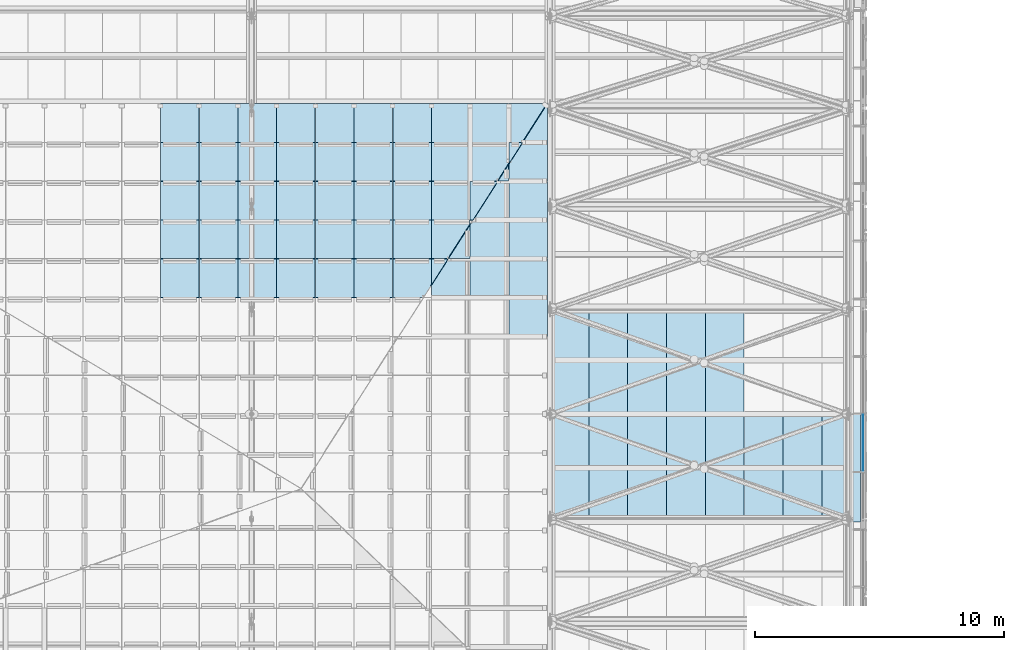
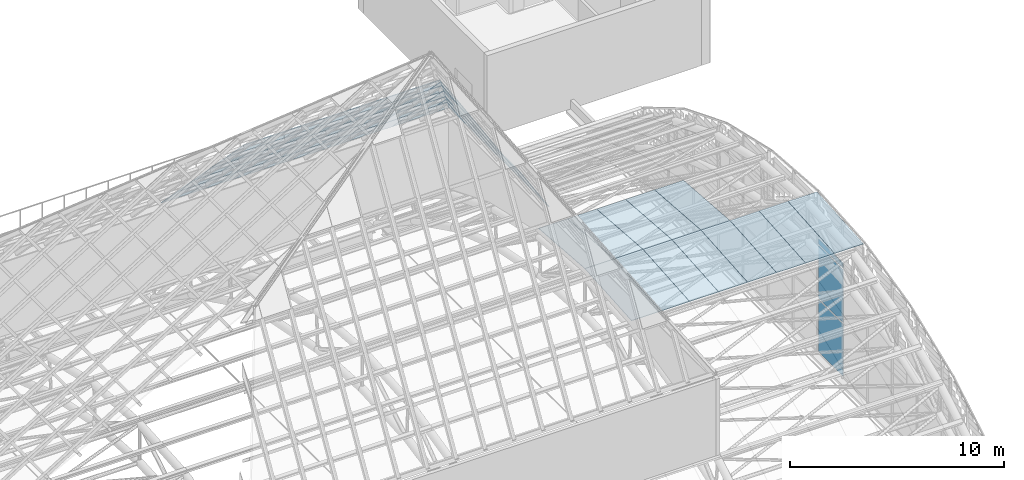
# One storey, part 64 of 110: 73 plates, 1 element without a shape of its own.
"""IFC4 building model written with IfcOpenShell, lengths in metres."""

from ifc_helpers import new_model, si_unit, direction, frame, origin, place, context, subcontext, project, spatial, polyline, outline, extrude, material, layer, layer_set, type_object, element, aggregate, save


model = new_model("IFC4")

# Units and contexts
model_context = context("Model", 3, precision=1e-05, world=origin(), true_north=direction((0.0, 1.0)))
body_context = subcontext(model_context, "Body", "Model", "MODEL_VIEW")
ifc_project = project(units=[si_unit("LENGTHUNIT", "METRE"), si_unit("AREAUNIT", "SQUARE_METRE"), si_unit("VOLUMEUNIT", "CUBIC_METRE"), si_unit("PLANEANGLEUNIT", "RADIAN"), si_unit("MASSUNIT", "GRAM", prefix="KILO")], contexts=[model_context])

# Site, building, storey
site_placement = place(None, origin())
site = spatial("IfcSite", under=ifc_project, at=site_placement, CompositionType="ELEMENT")
building_placement = place(site_placement, origin())
building = spatial("IfcBuilding", under=site, at=building_placement, Name="Windward Yard Aquatics Centre", CompositionType="ELEMENT")
storey_placement = place(building_placement, frame((0.0, 0.0, 22.60009765625)))
storey = spatial("IfcBuildingStorey", under=building, at=storey_placement, Name="L05", CompositionType="ELEMENT", Elevation=22.60009765625)

# Curtain wall, plates
ifc_material_1 = material(Name="Glass and aluminium curtain wall", Category="aluminium")
ifc_layer_1 = layer(ifc_material_1, 0.179931640625)
ifc_layer_set_1 = layer_set([ifc_layer_1], Name="H gable glazing system double glazed 8+16+8")
curtain_wall_type = type_object("IfcCurtainWallType", Name="H gable glazing system double glazed 8+16+8", PredefinedType="NOTDEFINED", material=ifc_layer_set_1)
curtain_wall_placement = place(storey_placement, origin())
curtain_wall = element("IfcCurtainWall", 1, at=curtain_wall_placement, inside=storey, type_object=curtain_wall_type, Name="Gable glazing E", PredefinedType="NOTDEFINED")
ifc_material_2 = material(Name="Low-iron glass", Category="glass")
ifc_layer_2 = layer(ifc_material_2, 0.008, Name="Outer pane")
ifc_material_3 = material(Name="Argon-filled cavity")
ifc_layer_3 = layer(ifc_material_3, 0.016, Name="Cavity")
ifc_layer_4 = layer(ifc_material_2, 0.008, Name="Inner pane")
ifc_layer_set_2 = layer_set([ifc_layer_2, ifc_layer_3, ifc_layer_4], Name="H gable glass low-e double glazed unit 32")
plate_type_1 = type_object("IfcPlateType", Name="H gable glass low-e double glazed unit 32", PredefinedType="CURTAIN_PANEL", material=ifc_layer_set_2)
plate_1_placement = place(storey_placement, frame((144.573974609375, 58.71337890625, 0.099853515625), z_axis=(-1.0, 0.0, 0.0), x_axis=(0.0, 0.0, 1.0)))
plate_1 = element("IfcPlate", 2, at=plate_1_placement, type_object=plate_type_1, Name="Gable panel 9.1", PredefinedType="CURTAIN_PANEL", context=body_context, shape_type="SweptSolid", body=[
    extrude(outline(polyline([(0.0, 0.0), (2.949951, 0.0), (2.949951, 2.25415), (0.0, 2.25415), (0.0, 0.0)])), origin(), (0.0, 0.0, -1.0), 0.031982421875),
])
plate_2_placement = place(storey_placement, frame((144.573974609375, 58.71337890625, 3.14990234375), z_axis=(-1.0, 0.0, 0.0), x_axis=(0.0, 0.0, 1.0)))
plate_2 = element("IfcPlate", 3, at=plate_2_placement, type_object=plate_type_1, Name="Gable panel 9.2", PredefinedType="CURTAIN_PANEL", context=body_context, shape_type="SweptSolid", body=[
    extrude(outline(polyline([(0.0, 0.0), (3.0, 0.0), (3.0, 2.25415), (0.0, 2.25415), (0.0, 0.0)])), origin(), (0.0, 0.0, -1.0), 0.031982421875),
])
plate_3_placement = place(storey_placement, frame((144.60595703125, 58.71337890625, 6.25), z_axis=(1.0, 0.0, 0.0), x_axis=(0.0, 1.0, 0.0)))
plate_3 = element("IfcPlate", 4, at=plate_3_placement, type_object=plate_type_1, Name="Gable panel 9.3a", PredefinedType="CURTAIN_PANEL", context=body_context, shape_type="SweptSolid", body=[
    extrude(outline(polyline([(0.0, 0.0), (2.25415, 0.0), (2.25415, 0.275391), (0.0, 0.275391), (0.0, 0.0)])), origin(), (0.0, 0.0, -1.0), 0.031982421875),
])
aggregate(curtain_wall, [plate_1, plate_2, plate_3])

# Plates
ifc_material_4 = material(Name="Laminated low-e glass", Category="glass")
ifc_layer_5 = layer(ifc_material_4, 0.035888671875)
ifc_layer_set_3 = layer_set([ifc_layer_5], Name="H lantern glass laminated low-e 36")
plate_type_2 = type_object("IfcPlateType", Name="H lantern glass laminated low-e 36", PredefinedType="SHEET", material=ifc_layer_set_3)
plate_4_placement = place(storey_placement, frame((130.909423828125, 71.932373046875, 12.4951171875), z_axis=(0.850381671749, 0.0, 0.526166335253), x_axis=(0.406235657638, 0.635541160007, -0.656551615945)))
element("IfcPlate", 5, at=plate_4_placement, inside=storey, type_object=plate_type_2, Name="H.LN.G.02.001", PredefinedType="SHEET", context=body_context, shape_type="SweptSolid", body=[
    extrude(outline(polyline([(0.0, 0.0), (2.428571, 0.0), (1.447641, -1.191652), (0.0, 0.0)])), origin(), (0.0, 0.0, -1.0), 0.035888671875),
])
plate_5_placement = place(storey_placement, frame((130.347412109375, 70.37109375, 13.4033203125), z_axis=(0.850373725201, -1.6191257e-05, 0.526179177871), x_axis=(1.3768619e-05, 0.999999999869, 8.519502e-06)))
element("IfcPlate", 6, at=plate_5_placement, inside=storey, type_object=plate_type_2, Name="H.LN.G.02.002", PredefinedType="SHEET", context=body_context, shape_type="SweptSolid", body=[
    extrude(outline(polyline([(0.0, 0.0), (0.681885, 0.0), (1.553223, -1.058274), (1.553223, -2.943051), (0.0, -2.943051), (0.0, 0.0)])), origin(), (0.0, 0.0, -1.0), 0.035888671875),
])
plate_6_placement = place(storey_placement, frame((129.91162109375, 70.37109375, 14.107666015625), z_axis=(0.8502843419, 0.0, 0.526323605703), x_axis=(0.406338303071, 0.635584499157, -0.656446134796)))
element("IfcPlate", 7, at=plate_6_placement, inside=storey, type_object=plate_type_2, Name="H.LN.G.02.003", PredefinedType="SHEET", context=body_context, shape_type="SweptSolid", body=[
    extrude(outline(polyline([(0.0, 0.0), (1.053257, 0.0), (0.627775, -0.516824), (0.0, 0.0)])), origin(), (0.0, 0.0, -1.0), 0.035888671875),
])
plate_7_placement = place(storey_placement, frame((130.347412109375, 68.809814453125, 13.4033203125), z_axis=(0.850371202966, 0.0, 0.526183254357), x_axis=(0.0, 1.0, 0.0)))
element("IfcPlate", 8, at=plate_7_placement, inside=storey, type_object=plate_type_2, Name="H.LN.G.02.004", PredefinedType="SHEET", context=body_context, shape_type="SweptSolid", body=[
    extrude(outline(polyline([(0.0, 0.0), (1.553223, 0.0), (1.553223, -2.943051), (0.0, -2.943051), (0.0, 0.0)])), origin(), (0.0, 0.0, -1.0), 0.035888671875),
])
plate_8_placement = place(storey_placement, frame((128.913818359375, 68.809814453125, 15.720458984375), z_axis=(0.850350560545, 6.0529784e-05, 0.526216609882), x_axis=(0.406229593055, 0.635569246376, -0.656528179737)))
element("IfcPlate", 9, at=plate_8_placement, inside=storey, type_object=plate_type_2, Name="H.LN.G.02.005", PredefinedType="SHEET", context=body_context, shape_type="SweptSolid", body=[
    extrude(outline(polyline([(0.0, 0.0), (2.443829, 0.0), (3.079147, -0.523012), (2.091966, -1.722168), (0.0, 0.0)])), origin(), (0.0, 0.0, -1.0), 0.035888671875),
])
plate_9_placement = place(storey_placement, frame((130.347412109375, 67.248779296875, 13.4033203125), z_axis=(0.850371202966, 0.0, 0.526183254357), x_axis=(0.0, 1.0, 0.0)))
element("IfcPlate", 10, at=plate_9_placement, inside=storey, type_object=plate_type_2, Name="H.LN.G.02.006", PredefinedType="SHEET", context=body_context, shape_type="SweptSolid", body=[
    extrude(outline(polyline([(0.0, 0.0), (1.553223, 0.0), (1.553223, -2.943051), (0.0, -2.943051), (0.0, 0.0)])), origin(), (0.0, 0.0, -1.0), 0.035888671875),
])
plate_10_placement = place(storey_placement, frame((128.791015625, 67.248779296875, 15.9189453125), z_axis=(0.850369786773, 4.2949152e-05, 0.526185541324), x_axis=(-3.6522661e-05, 0.999999999078, -2.2599223e-05)))
element("IfcPlate", 11, at=plate_10_placement, inside=storey, type_object=plate_type_2, Name="H.LN.G.02.007", PredefinedType="SHEET", context=body_context, shape_type="SweptSolid", body=[
    extrude(outline(polyline([(0.0, 0.0), (1.368896, 0.0), (1.553223, -0.223855), (1.553223, -2.943051), (0.0, -2.943051), (0.0, 0.0)])), origin(), (0.0, 0.0, -1.0), 0.035888671875),
])
plate_11_placement = place(storey_placement, frame((127.916015625, 67.248779296875, 17.3330078125), z_axis=(0.850378808992, 0.0, 0.526170961967), x_axis=(0.406249971385, 0.635516359066, -0.656566765919)))
element("IfcPlate", 12, at=plate_11_placement, inside=storey, type_object=plate_type_2, Name="H.LN.G.02.008", PredefinedType="SHEET", context=body_context, shape_type="SweptSolid", body=[
    extrude(outline(polyline([(0.0, 0.0), (2.134015, 0.0), (1.272127, -1.047106), (0.0, 0.0)])), origin(), (0.0, 0.0, -1.0), 0.035888671875),
])
for number, where, z_axis, x_axis, name in (
    (13, (130.347412109375, 65.6875, 13.4033203125), (0.850371202966, 0.0, 0.526183254357), (0.0, 1.0, 0.0), "H.LN.G.02.009"),
    (14, (128.791015625, 65.6875, 15.9189453125), (0.850371202966, 0.0, 0.526183254357), (0.0, 1.0, 0.0), "H.LN.G.02.010"),
):
    element("IfcPlate", number, at=place(storey_placement, frame(where, z_axis=z_axis, x_axis=x_axis)), inside=storey, type_object=plate_type_2, Name=name, PredefinedType="SHEET", context=body_context, shape_type="SweptSolid", body=[
        extrude(outline(polyline([(0.0, 0.0), (1.553223, 0.0), (1.553223, -2.943051), (0.0, -2.943051), (0.0, 0.0)])), origin(), (0.0, 0.0, -1.0), 0.035888671875),
    ])
plate_12_placement = place(storey_placement, frame((127.234375, 65.6875, 18.4345703125), z_axis=(0.850373474015, -1.2002487e-05, 0.526179583933), x_axis=(1.0206597e-05, 0.999999999928, 6.315464e-06)))
element("IfcPlate", 15, at=plate_12_placement, inside=storey, type_object=plate_type_2, Name="H.LN.G.02.011", PredefinedType="SHEET", context=body_context, shape_type="SweptSolid", body=[
    extrude(outline(polyline([(0.0, 0.0), (0.494873, 0.0), (1.553223, -1.285648), (1.553223, -2.943051), (0.0, -2.943051), (0.0, 0.0)])), origin(), (0.0, 0.0, -1.0), 0.035888671875),
])
plate_13_placement = place(storey_placement, frame((130.347412109375, 64.12646484375, 13.4033203125), z_axis=(0.850371202966, 0.0, 0.526183254357), x_axis=(0.0, 1.0, 0.0)))
element("IfcPlate", 16, at=plate_13_placement, inside=storey, type_object=plate_type_2, Name="H.LN.G.02.013", PredefinedType="SHEET", context=body_context, shape_type="SweptSolid", body=[
    extrude(outline(polyline([(0.0, 0.0), (1.552979, 0.0), (1.552979, -2.943051), (0.0, -2.943051), (0.0, 0.0)])), origin(), (0.0, 0.0, -1.0), 0.035888671875),
])
plate_14_placement = place(storey_placement, frame((116.3388671875, 71.932373046875, 12.502685546875), z_axis=(0.0, 0.718439970449, 0.695588965454), x_axis=(0.0, 0.695588965454, -0.718439970449)))
element("IfcPlate", 17, at=plate_14_placement, inside=storey, type_object=plate_type_2, Name="H.LN.G.03.060", PredefinedType="SHEET", context=body_context, shape_type="SweptSolid", body=[
    extrude(outline(polyline([(0.0, 0.0), (2.23296, 0.0), (2.23296, -1.54834), (0.0, -1.54834), (0.0, 0.0)])), origin(), (0.0, 0.0, -1.0), 0.035888671875),
])
plate_15_placement = place(storey_placement, frame((116.3388671875, 70.37109375, 14.115478515625), z_axis=(0.0, 0.718492865278, 0.695534328804), x_axis=(0.0, 0.695534328804, -0.718492865278)))
element("IfcPlate", 18, at=plate_15_placement, inside=storey, type_object=plate_type_2, Name="H.LN.G.03.061", PredefinedType="SHEET", context=body_context, shape_type="SweptSolid", body=[
    extrude(outline(polyline([(0.0, 0.0), (2.233136, 0.0), (2.233136, -1.54834), (0.0, -1.54834), (0.0, 0.0)])), origin(), (0.0, 0.0, -1.0), 0.035888671875),
])
plate_16_placement = place(storey_placement, frame((116.3388671875, 68.809814453125, 15.72802734375), z_axis=(0.0, 0.718439970449, 0.695588965454), x_axis=(0.0, 0.695588965454, -0.718439970449)))
element("IfcPlate", 19, at=plate_16_placement, inside=storey, type_object=plate_type_2, Name="H.LN.G.03.062", PredefinedType="SHEET", context=body_context, shape_type="SweptSolid", body=[
    extrude(outline(polyline([(0.0, 0.0), (2.23296, 0.0), (2.23296, -1.54834), (0.0, -1.54834), (0.0, 0.0)])), origin(), (0.0, 0.0, -1.0), 0.035888671875),
])
for number, where, z_axis, x_axis, name in (
    (20, (116.3388671875, 67.248779296875, 17.3408203125), (0.0, 0.718492865278, 0.695534328804), (0.0, 0.695534328804, -0.718492865278), "H.LN.G.03.063"),
    (21, (116.3388671875, 65.6875, 18.953369140625), (0.0, 0.718492865278, 0.695534328804), (0.0, 0.695534328804, -0.718492865278), "H.LN.G.03.064"),
):
    element("IfcPlate", number, at=place(storey_placement, frame(where, z_axis=z_axis, x_axis=x_axis)), inside=storey, type_object=plate_type_2, Name=name, PredefinedType="SHEET", context=body_context, shape_type="SweptSolid", body=[
        extrude(outline(polyline([(0.0, 0.0), (2.233136, 0.0), (2.233136, -1.54834), (0.0, -1.54834), (0.0, 0.0)])), origin(), (0.0, 0.0, -1.0), 0.035888671875),
    ])
plate_17_placement = place(storey_placement, frame((117.895263671875, 71.932373046875, 12.502685546875), z_axis=(0.0, 0.718439970449, 0.695588965454), x_axis=(0.0, 0.695588965454, -0.718439970449)))
element("IfcPlate", 22, at=plate_17_placement, inside=storey, type_object=plate_type_2, Name="H.LN.G.03.069", PredefinedType="SHEET", context=body_context, shape_type="SweptSolid", body=[
    extrude(outline(polyline([(0.0, 0.0), (2.23296, 0.0), (2.23296, -1.548584), (0.0, -1.548584), (0.0, 0.0)])), origin(), (0.0, 0.0, -1.0), 0.035888671875),
])
plate_18_placement = place(storey_placement, frame((117.895263671875, 70.37109375, 14.115478515625), z_axis=(0.0, 0.718492865278, 0.695534328804), x_axis=(0.0, 0.695534328804, -0.718492865278)))
element("IfcPlate", 23, at=plate_18_placement, inside=storey, type_object=plate_type_2, Name="H.LN.G.03.070", PredefinedType="SHEET", context=body_context, shape_type="SweptSolid", body=[
    extrude(outline(polyline([(0.0, 0.0), (2.233136, 0.0), (2.233136, -1.548584), (0.0, -1.548584), (0.0, 0.0)])), origin(), (0.0, 0.0, -1.0), 0.035888671875),
])
plate_19_placement = place(storey_placement, frame((117.895263671875, 68.809814453125, 15.72802734375), z_axis=(0.0, 0.718439970449, 0.695588965454), x_axis=(0.0, 0.695588965454, -0.718439970449)))
element("IfcPlate", 24, at=plate_19_placement, inside=storey, type_object=plate_type_2, Name="H.LN.G.03.071", PredefinedType="SHEET", context=body_context, shape_type="SweptSolid", body=[
    extrude(outline(polyline([(0.0, 0.0), (2.23296, 0.0), (2.23296, -1.548584), (0.0, -1.548584), (0.0, 0.0)])), origin(), (0.0, 0.0, -1.0), 0.035888671875),
])
for number, where, z_axis, x_axis, name in (
    (25, (117.895263671875, 67.248779296875, 17.3408203125), (0.0, 0.718492865278, 0.695534328804), (0.0, 0.695534328804, -0.718492865278), "H.LN.G.03.072"),
    (26, (117.895263671875, 65.6875, 18.953369140625), (0.0, 0.718492865278, 0.695534328804), (0.0, 0.695534328804, -0.718492865278), "H.LN.G.03.073"),
):
    element("IfcPlate", number, at=place(storey_placement, frame(where, z_axis=z_axis, x_axis=x_axis)), inside=storey, type_object=plate_type_2, Name=name, PredefinedType="SHEET", context=body_context, shape_type="SweptSolid", body=[
        extrude(outline(polyline([(0.0, 0.0), (2.233136, 0.0), (2.233136, -1.548584), (0.0, -1.548584), (0.0, 0.0)])), origin(), (0.0, 0.0, -1.0), 0.035888671875),
    ])
plate_20_placement = place(storey_placement, frame((119.451904296875, 71.932373046875, 12.502685546875), z_axis=(0.0, 0.718439970449, 0.695588965454), x_axis=(0.0, 0.695588965454, -0.718439970449)))
element("IfcPlate", 27, at=plate_20_placement, inside=storey, type_object=plate_type_2, Name="H.LN.G.03.078", PredefinedType="SHEET", context=body_context, shape_type="SweptSolid", body=[
    extrude(outline(polyline([(0.0, 0.0), (2.23296, 0.0), (2.23296, -1.54834), (0.0, -1.54834), (0.0, 0.0)])), origin(), (0.0, 0.0, -1.0), 0.035888671875),
])
plate_21_placement = place(storey_placement, frame((119.451904296875, 70.37109375, 14.115478515625), z_axis=(0.0, 0.718492865278, 0.695534328804), x_axis=(0.0, 0.695534328804, -0.718492865278)))
element("IfcPlate", 28, at=plate_21_placement, inside=storey, type_object=plate_type_2, Name="H.LN.G.03.079", PredefinedType="SHEET", context=body_context, shape_type="SweptSolid", body=[
    extrude(outline(polyline([(0.0, 0.0), (2.233136, 0.0), (2.233136, -1.54834), (0.0, -1.54834), (0.0, 0.0)])), origin(), (0.0, 0.0, -1.0), 0.035888671875),
])
plate_22_placement = place(storey_placement, frame((119.451904296875, 68.809814453125, 15.72802734375), z_axis=(0.0, 0.718439970449, 0.695588965454), x_axis=(0.0, 0.695588965454, -0.718439970449)))
element("IfcPlate", 29, at=plate_22_placement, inside=storey, type_object=plate_type_2, Name="H.LN.G.03.080", PredefinedType="SHEET", context=body_context, shape_type="SweptSolid", body=[
    extrude(outline(polyline([(0.0, 0.0), (2.23296, 0.0), (2.23296, -1.54834), (0.0, -1.54834), (0.0, 0.0)])), origin(), (0.0, 0.0, -1.0), 0.035888671875),
])
for number, where, z_axis, x_axis, name in (
    (30, (119.451904296875, 67.248779296875, 17.3408203125), (0.0, 0.718492865278, 0.695534328804), (0.0, 0.695534328804, -0.718492865278), "H.LN.G.03.081"),
    (31, (119.451904296875, 65.6875, 18.953369140625), (0.0, 0.718492865278, 0.695534328804), (0.0, 0.695534328804, -0.718492865278), "H.LN.G.03.082"),
):
    element("IfcPlate", number, at=place(storey_placement, frame(where, z_axis=z_axis, x_axis=x_axis)), inside=storey, type_object=plate_type_2, Name=name, PredefinedType="SHEET", context=body_context, shape_type="SweptSolid", body=[
        extrude(outline(polyline([(0.0, 0.0), (2.233136, 0.0), (2.233136, -1.54834), (0.0, -1.54834), (0.0, 0.0)])), origin(), (0.0, 0.0, -1.0), 0.035888671875),
    ])
plate_23_placement = place(storey_placement, frame((121.00830078125, 71.932373046875, 12.502685546875), z_axis=(0.0, 0.718439970449, 0.695588965454), x_axis=(0.0, 0.695588965454, -0.718439970449)))
element("IfcPlate", 32, at=plate_23_placement, inside=storey, type_object=plate_type_2, Name="H.LN.G.03.088", PredefinedType="SHEET", context=body_context, shape_type="SweptSolid", body=[
    extrude(outline(polyline([(0.0, 0.0), (2.23296, 0.0), (2.23296, -1.548584), (0.0, -1.548584), (0.0, 0.0)])), origin(), (0.0, 0.0, -1.0), 0.035888671875),
])
plate_24_placement = place(storey_placement, frame((121.00830078125, 70.37109375, 14.115478515625), z_axis=(0.0, 0.718492865278, 0.695534328804), x_axis=(0.0, 0.695534328804, -0.718492865278)))
element("IfcPlate", 33, at=plate_24_placement, inside=storey, type_object=plate_type_2, Name="H.LN.G.03.089", PredefinedType="SHEET", context=body_context, shape_type="SweptSolid", body=[
    extrude(outline(polyline([(0.0, 0.0), (2.233136, 0.0), (2.233136, -1.548584), (0.0, -1.548584), (0.0, 0.0)])), origin(), (0.0, 0.0, -1.0), 0.035888671875),
])
plate_25_placement = place(storey_placement, frame((121.00830078125, 68.809814453125, 15.72802734375), z_axis=(0.0, 0.718439970449, 0.695588965454), x_axis=(0.0, 0.695588965454, -0.718439970449)))
element("IfcPlate", 34, at=plate_25_placement, inside=storey, type_object=plate_type_2, Name="H.LN.G.03.090", PredefinedType="SHEET", context=body_context, shape_type="SweptSolid", body=[
    extrude(outline(polyline([(0.0, 0.0), (2.23296, 0.0), (2.23296, -1.548584), (0.0, -1.548584), (0.0, 0.0)])), origin(), (0.0, 0.0, -1.0), 0.035888671875),
])
for number, where, z_axis, x_axis, name in (
    (35, (121.00830078125, 67.248779296875, 17.3408203125), (0.0, 0.718492865278, 0.695534328804), (0.0, 0.695534328804, -0.718492865278), "H.LN.G.03.091"),
    (36, (121.00830078125, 65.6875, 18.953369140625), (0.0, 0.718492865278, 0.695534328804), (0.0, 0.695534328804, -0.718492865278), "H.LN.G.03.092"),
):
    element("IfcPlate", number, at=place(storey_placement, frame(where, z_axis=z_axis, x_axis=x_axis)), inside=storey, type_object=plate_type_2, Name=name, PredefinedType="SHEET", context=body_context, shape_type="SweptSolid", body=[
        extrude(outline(polyline([(0.0, 0.0), (2.233136, 0.0), (2.233136, -1.548584), (0.0, -1.548584), (0.0, 0.0)])), origin(), (0.0, 0.0, -1.0), 0.035888671875),
    ])
plate_26_placement = place(storey_placement, frame((122.56494140625, 71.932373046875, 12.502685546875), z_axis=(0.0, 0.718439970449, 0.695588965454), x_axis=(0.0, 0.695588965454, -0.718439970449)))
element("IfcPlate", 37, at=plate_26_placement, inside=storey, type_object=plate_type_2, Name="H.LN.G.03.098", PredefinedType="SHEET", context=body_context, shape_type="SweptSolid", body=[
    extrude(outline(polyline([(0.0, 0.0), (2.23296, 0.0), (2.23296, -1.54834), (0.0, -1.54834), (0.0, 0.0)])), origin(), (0.0, 0.0, -1.0), 0.035888671875),
])
plate_27_placement = place(storey_placement, frame((122.56494140625, 70.37109375, 14.115478515625), z_axis=(0.0, 0.718492865278, 0.695534328804), x_axis=(0.0, 0.695534328804, -0.718492865278)))
element("IfcPlate", 38, at=plate_27_placement, inside=storey, type_object=plate_type_2, Name="H.LN.G.03.099", PredefinedType="SHEET", context=body_context, shape_type="SweptSolid", body=[
    extrude(outline(polyline([(0.0, 0.0), (2.233136, 0.0), (2.233136, -1.54834), (0.0, -1.54834), (0.0, 0.0)])), origin(), (0.0, 0.0, -1.0), 0.035888671875),
])
plate_28_placement = place(storey_placement, frame((122.56494140625, 68.809814453125, 15.72802734375), z_axis=(0.0, 0.718439970449, 0.695588965454), x_axis=(0.0, 0.695588965454, -0.718439970449)))
element("IfcPlate", 39, at=plate_28_placement, inside=storey, type_object=plate_type_2, Name="H.LN.G.03.100", PredefinedType="SHEET", context=body_context, shape_type="SweptSolid", body=[
    extrude(outline(polyline([(0.0, 0.0), (2.23296, 0.0), (2.23296, -1.54834), (0.0, -1.54834), (0.0, 0.0)])), origin(), (0.0, 0.0, -1.0), 0.035888671875),
])
for number, where, z_axis, x_axis, name in (
    (40, (122.56494140625, 67.248779296875, 17.3408203125), (0.0, 0.718492865278, 0.695534328804), (0.0, 0.695534328804, -0.718492865278), "H.LN.G.03.101"),
    (41, (122.56494140625, 65.6875, 18.953369140625), (0.0, 0.718492865278, 0.695534328804), (0.0, 0.695534328804, -0.718492865278), "H.LN.G.03.102"),
):
    element("IfcPlate", number, at=place(storey_placement, frame(where, z_axis=z_axis, x_axis=x_axis)), inside=storey, type_object=plate_type_2, Name=name, PredefinedType="SHEET", context=body_context, shape_type="SweptSolid", body=[
        extrude(outline(polyline([(0.0, 0.0), (2.233136, 0.0), (2.233136, -1.54834), (0.0, -1.54834), (0.0, 0.0)])), origin(), (0.0, 0.0, -1.0), 0.035888671875),
    ])
plate_29_placement = place(storey_placement, frame((124.121337890625, 71.932373046875, 12.502685546875), z_axis=(0.0, 0.718439970449, 0.695588965454), x_axis=(0.0, 0.695588965454, -0.718439970449)))
element("IfcPlate", 42, at=plate_29_placement, inside=storey, type_object=plate_type_2, Name="H.LN.G.03.108", PredefinedType="SHEET", context=body_context, shape_type="SweptSolid", body=[
    extrude(outline(polyline([(0.0, 0.0), (2.23296, 0.0), (2.23296, -1.548584), (0.0, -1.548584), (0.0, 0.0)])), origin(), (0.0, 0.0, -1.0), 0.035888671875),
])
plate_30_placement = place(storey_placement, frame((124.121337890625, 70.37109375, 14.115478515625), z_axis=(0.0, 0.718492865278, 0.695534328804), x_axis=(0.0, 0.695534328804, -0.718492865278)))
element("IfcPlate", 43, at=plate_30_placement, inside=storey, type_object=plate_type_2, Name="H.LN.G.03.109", PredefinedType="SHEET", context=body_context, shape_type="SweptSolid", body=[
    extrude(outline(polyline([(0.0, 0.0), (2.233136, 0.0), (2.233136, -1.548584), (0.0, -1.548584), (0.0, 0.0)])), origin(), (0.0, 0.0, -1.0), 0.035888671875),
])
plate_31_placement = place(storey_placement, frame((124.121337890625, 68.809814453125, 15.72802734375), z_axis=(0.0, 0.718439970449, 0.695588965454), x_axis=(0.0, 0.695588965454, -0.718439970449)))
element("IfcPlate", 44, at=plate_31_placement, inside=storey, type_object=plate_type_2, Name="H.LN.G.03.110", PredefinedType="SHEET", context=body_context, shape_type="SweptSolid", body=[
    extrude(outline(polyline([(0.0, 0.0), (2.23296, 0.0), (2.23296, -1.548584), (0.0, -1.548584), (0.0, 0.0)])), origin(), (0.0, 0.0, -1.0), 0.035888671875),
])
for number, where, z_axis, x_axis, name in (
    (45, (124.121337890625, 67.248779296875, 17.3408203125), (0.0, 0.718492865278, 0.695534328804), (0.0, 0.695534328804, -0.718492865278), "H.LN.G.03.111"),
    (46, (124.121337890625, 65.6875, 18.953369140625), (0.0, 0.718492865278, 0.695534328804), (0.0, 0.695534328804, -0.718492865278), "H.LN.G.03.112"),
):
    element("IfcPlate", number, at=place(storey_placement, frame(where, z_axis=z_axis, x_axis=x_axis)), inside=storey, type_object=plate_type_2, Name=name, PredefinedType="SHEET", context=body_context, shape_type="SweptSolid", body=[
        extrude(outline(polyline([(0.0, 0.0), (2.233136, 0.0), (2.233136, -1.548584), (0.0, -1.548584), (0.0, 0.0)])), origin(), (0.0, 0.0, -1.0), 0.035888671875),
    ])
plate_32_placement = place(storey_placement, frame((125.677978515625, 71.932373046875, 12.502685546875), z_axis=(0.0, 0.718439970449, 0.695588965454), x_axis=(0.0, 0.695588965454, -0.718439970449)))
element("IfcPlate", 47, at=plate_32_placement, inside=storey, type_object=plate_type_2, Name="H.LN.G.03.116", PredefinedType="SHEET", context=body_context, shape_type="SweptSolid", body=[
    extrude(outline(polyline([(0.0, 0.0), (2.23296, 0.0), (2.23296, -1.54834), (0.0, -1.54834), (0.0, 0.0)])), origin(), (0.0, 0.0, -1.0), 0.035888671875),
])
plate_33_placement = place(storey_placement, frame((125.677978515625, 70.37109375, 14.115478515625), z_axis=(0.0, 0.718492865278, 0.695534328804), x_axis=(0.0, 0.695534328804, -0.718492865278)))
element("IfcPlate", 48, at=plate_33_placement, inside=storey, type_object=plate_type_2, Name="H.LN.G.03.117", PredefinedType="SHEET", context=body_context, shape_type="SweptSolid", body=[
    extrude(outline(polyline([(0.0, 0.0), (2.233136, 0.0), (2.233136, -1.54834), (0.0, -1.54834), (0.0, 0.0)])), origin(), (0.0, 0.0, -1.0), 0.035888671875),
])
plate_34_placement = place(storey_placement, frame((125.677978515625, 68.809814453125, 15.72802734375), z_axis=(0.0, 0.718439970449, 0.695588965454), x_axis=(0.0, 0.695588965454, -0.718439970449)))
element("IfcPlate", 49, at=plate_34_placement, inside=storey, type_object=plate_type_2, Name="H.LN.G.03.118", PredefinedType="SHEET", context=body_context, shape_type="SweptSolid", body=[
    extrude(outline(polyline([(0.0, 0.0), (2.23296, 0.0), (2.23296, -1.54834), (0.0, -1.54834), (0.0, 0.0)])), origin(), (0.0, 0.0, -1.0), 0.035888671875),
])
plate_35_placement = place(storey_placement, frame((125.677978515625, 67.248779296875, 17.3408203125), z_axis=(0.0, 0.718492865278, 0.695534328804), x_axis=(0.0, 0.695534328804, -0.718492865278)))
element("IfcPlate", 50, at=plate_35_placement, inside=storey, type_object=plate_type_2, Name="H.LN.G.03.119", PredefinedType="SHEET", context=body_context, shape_type="SweptSolid", body=[
    extrude(outline(polyline([(0.0, 0.0), (2.233136, 0.0), (2.233136, -1.54834), (0.0, -1.54834), (0.0, 0.0)])), origin(), (0.0, 0.0, -1.0), 0.035888671875),
])
plate_36_placement = place(storey_placement, frame((125.677978515625, 65.6875, 18.953369140625), z_axis=(-1.3510431e-05, 0.718494201776, 0.695532948056), x_axis=(2.6e-11, 0.69553294812, -0.718494201841)))
element("IfcPlate", 51, at=plate_36_placement, inside=storey, type_object=plate_type_2, Name="H.LN.G.03.120", PredefinedType="SHEET", context=body_context, shape_type="SweptSolid", body=[
    extrude(outline(polyline([(0.0, 0.0), (2.233136, 0.0), (2.233136, -1.54834), (0.714969, -1.54834), (0.0, -1.230713), (0.0, 0.0)])), origin(), (0.0, 0.0, -1.0), 0.035888671875),
])
plate_37_placement = place(storey_placement, frame((127.234375, 71.932373046875, 12.502685546875), z_axis=(0.0, 0.718439970449, 0.695588965454), x_axis=(0.0, 0.695588965454, -0.718439970449)))
element("IfcPlate", 52, at=plate_37_placement, inside=storey, type_object=plate_type_2, Name="H.LN.G.03.122", PredefinedType="SHEET", context=body_context, shape_type="SweptSolid", body=[
    extrude(outline(polyline([(0.0, 0.0), (2.23296, 0.0), (2.23296, -1.548584), (0.0, -1.548584), (0.0, 0.0)])), origin(), (0.0, 0.0, -1.0), 0.035888671875),
])
plate_38_placement = place(storey_placement, frame((127.234375, 70.37109375, 14.115478515625), z_axis=(0.0, 0.718492865278, 0.695534328804), x_axis=(0.0, 0.695534328804, -0.718492865278)))
element("IfcPlate", 53, at=plate_38_placement, inside=storey, type_object=plate_type_2, Name="H.LN.G.03.123", PredefinedType="SHEET", context=body_context, shape_type="SweptSolid", body=[
    extrude(outline(polyline([(0.0, 0.0), (2.233136, 0.0), (2.233136, -1.548584), (0.0, -1.548584), (0.0, 0.0)])), origin(), (0.0, 0.0, -1.0), 0.035888671875),
])
plate_39_placement = place(storey_placement, frame((127.234375, 68.809814453125, 15.72802734375), z_axis=(0.0, 0.718439970449, 0.695588965454), x_axis=(0.0, 0.695588965454, -0.718439970449)))
element("IfcPlate", 54, at=plate_39_placement, inside=storey, type_object=plate_type_2, Name="H.LN.G.03.124", PredefinedType="SHEET", context=body_context, shape_type="SweptSolid", body=[
    extrude(outline(polyline([(0.0, 0.0), (2.23296, 0.0), (2.23296, -1.548584), (0.0, -1.548584), (0.0, 0.0)])), origin(), (0.0, 0.0, -1.0), 0.035888671875),
])
plate_40_placement = place(storey_placement, frame((127.234375, 67.248779296875, 17.3408203125), z_axis=(-2.9868991e-05, 0.718501018679, 0.695525905532), x_axis=(3.5e-10, 0.695525905842, -0.718501018999)))
element("IfcPlate", 55, at=plate_40_placement, inside=storey, type_object=plate_type_2, Name="H.LN.G.03.125", PredefinedType="SHEET", context=body_context, shape_type="SweptSolid", body=[
    extrude(outline(polyline([(0.0, 0.0), (2.233136, 0.0), (2.233136, -1.548584), (1.971561, -1.548584), (0.0, -0.672119), (0.0, 0.0)])), origin(), (0.0, 0.0, -1.0), 0.035888671875),
])
plate_41_placement = place(storey_placement, frame((127.234375, 66.197265625, 18.427001953125), z_axis=(0.0, 0.718565417595, 0.695459373822), x_axis=(0.0, 0.695459373822, -0.718565417595)))
element("IfcPlate", 56, at=plate_41_placement, inside=storey, type_object=plate_type_2, Name="H.LN.G.03.126", PredefinedType="SHEET", context=body_context, shape_type="SweptSolid", body=[
    extrude(outline(polyline([(0.0, 0.0), (1.500385, 0.0), (1.500385, -0.666992), (0.0, 0.0)])), origin(), (0.0, 0.0, -1.0), 0.035888671875),
])
plate_42_placement = place(storey_placement, frame((128.791015625, 71.932373046875, 12.502685546875), z_axis=(0.0, 0.718439970449, 0.695588965454), x_axis=(0.0, 0.695588965454, -0.718439970449)))
element("IfcPlate", 57, at=plate_42_placement, inside=storey, type_object=plate_type_2, Name="H.LN.G.03.127", PredefinedType="SHEET", context=body_context, shape_type="SweptSolid", body=[
    extrude(outline(polyline([(0.0, 0.0), (2.23296, 0.0), (2.23296, -1.548584), (0.0, -1.548584), (0.0, 0.0)])), origin(), (0.0, 0.0, -1.0), 0.035888671875),
])
plate_43_placement = place(storey_placement, frame((128.791015625, 70.37109375, 14.115478515625), z_axis=(-3.0565132e-05, 0.71849702986, 0.695530026058), x_axis=(1.83e-10, 0.695530026383, -0.718497030196)))
element("IfcPlate", 58, at=plate_43_placement, inside=storey, type_object=plate_type_2, Name="H.LN.G.03.128", PredefinedType="SHEET", context=body_context, shape_type="SweptSolid", body=[
    extrude(outline(polyline([(0.0, 0.0), (2.233136, 0.0), (2.233136, -1.548584), (0.983794, -1.548584), (0.0, -1.111084), (0.0, 0.0)])), origin(), (0.0, 0.0, -1.0), 0.035888671875),
])
plate_44_placement = place(storey_placement, frame((128.791015625, 68.809814453125, 15.72802734375), z_axis=(0.0, 0.718439970449, 0.695588965454), x_axis=(0.0, 0.695588965454, -0.718439970449)))
element("IfcPlate", 59, at=plate_44_placement, inside=storey, type_object=plate_type_2, Name="H.LN.G.03.129", PredefinedType="SHEET", context=body_context, shape_type="SweptSolid", body=[
    extrude(outline(polyline([(0.0, 0.0), (2.23296, 0.0), (2.23296, -1.106201), (0.0, -0.113281), (0.0, 0.0)])), origin(), (0.0, 0.0, -1.0), 0.035888671875),
])
plate_45_placement = place(storey_placement, frame((130.347412109375, 71.932373046875, 12.502685546875), z_axis=(0.0, 0.718439970449, 0.695588965454), x_axis=(0.0, 0.695588965454, -0.718439970449)))
element("IfcPlate", 60, at=plate_45_placement, inside=storey, type_object=plate_type_2, Name="H.LN.G.03.130", PredefinedType="SHEET", context=body_context, shape_type="SweptSolid", body=[
    extrude(outline(polyline([(0.0, 0.0), (2.23296, 0.0), (2.23296, -1.545166), (0.0, -0.55249), (0.0, 0.0)])), origin(), (0.0, 0.0, -1.0), 0.035888671875),
])
plate_46_placement = place(storey_placement, frame((130.347412109375, 71.06787109375, 13.395751953125), z_axis=(0.0, 0.718512644862, 0.695513895744), x_axis=(0.0, 0.695513895744, -0.718512644862)))
element("IfcPlate", 61, at=plate_46_placement, inside=storey, type_object=plate_type_2, Name="H.LN.G.03.131", PredefinedType="SHEET", context=body_context, shape_type="SweptSolid", body=[
    extrude(outline(polyline([(0.0, 0.0), (1.231385, 0.0), (1.231385, -0.547607), (0.0, 0.0)])), origin(), (0.0, 0.0, -1.0), 0.035888671875),
])
ifc_material_5 = material(Name="Translucent multiwall polycarbonate sheet")
ifc_layer_6 = layer(ifc_material_5, 0.031982421875)
ifc_layer_set_4 = layer_set([ifc_layer_6], Name="H translucent roof sheet multiwall polycarbonate 32")
plate_type_3 = type_object("IfcPlateType", Name="H translucent roof sheet multiwall polycarbonate 32", PredefinedType="SHEET", material=ifc_layer_set_4)
for number, where, z_axis, x_axis, name in (
    (62, (132.001953125, 26.0, 0.0), (1.0, 0.0, 0.0), (0.0, 1.0, 0.0), "Daylight roof sheet bay 7 facet 5 sheet 1"),
    (63, (133.564453125, 26.0, 0.0), (1.0, 0.0, 0.0), (0.0, 1.0, 0.0), "Daylight roof sheet bay 7 facet 5 sheet 2"),
    (64, (135.126953125, 26.0, 0.0), (1.0, 0.0, 0.0), (0.0, 1.0, 0.0), "Daylight roof sheet bay 7 facet 5 sheet 3"),
    (65, (136.689453125, 26.0, 0.0), (1.0, 0.0, 0.0), (0.0, 1.0, 0.0), "Daylight roof sheet bay 7 facet 5 sheet 4"),
    (66, (138.251953125, 26.0, 0.0), (1.0, 0.0, 0.0), (0.0, 1.0, 0.0), "Daylight roof sheet bay 7 facet 5 sheet 5"),
    (67, (139.814453125, 26.0, 0.0), (1.0, 0.0, 0.0), (0.0, 1.0, 0.0), "Daylight roof sheet bay 7 facet 5 sheet 6"),
    (68, (141.376953125, 26.0, 0.0), (1.0, 0.0, 0.0), (0.0, 1.0, 0.0), "Daylight roof sheet bay 7 facet 5 sheet 7"),
    (69, (142.939453125, 26.0, 0.0), (1.0, 0.0, 0.0), (0.0, 1.0, 0.0), "Daylight roof sheet bay 7 facet 5 sheet 8"),
):
    element("IfcPlate", number, at=place(storey_placement, frame(where, z_axis=z_axis, x_axis=x_axis)), inside=storey, type_object=plate_type_3, Name=name, PredefinedType="SHEET", context=body_context, shape_type="SweptSolid", body=[
        extrude(outline(polyline([(30.669677734375, 8.871337890625), (35.0, 9.202880859375), (35.0, 9.235107421875), (30.664794921875, 8.903076171875), (30.669677734375, 8.871337890625)])), origin(), (0.0, 0.0, 1.0), 1.55859375),
    ])
for number, where, z_axis, x_axis, name in (
    (70, (132.001953125, 26.0, 0.0), (1.0, 0.0, 0.0), (0.0, 1.0, 0.0), "Daylight roof sheet bay 7 facet 6 sheet 1"),
    (71, (133.564453125, 26.0, 0.0), (1.0, 0.0, 0.0), (0.0, 1.0, 0.0), "Daylight roof sheet bay 7 facet 6 sheet 2"),
    (72, (135.126953125, 26.0, 0.0), (1.0, 0.0, 0.0), (0.0, 1.0, 0.0), "Daylight roof sheet bay 7 facet 6 sheet 3"),
    (73, (136.689453125, 26.0, 0.0), (1.0, 0.0, 0.0), (0.0, 1.0, 0.0), "Daylight roof sheet bay 7 facet 6 sheet 4"),
    (74, (138.251953125, 26.0, 0.0), (1.0, 0.0, 0.0), (0.0, 1.0, 0.0), "Daylight roof sheet bay 7 facet 6 sheet 5"),
):
    element("IfcPlate", number, at=place(storey_placement, frame(where, z_axis=z_axis, x_axis=x_axis)), inside=storey, type_object=plate_type_3, Name=name, PredefinedType="SHEET", context=body_context, shape_type="SweptSolid", body=[
        extrude(outline(polyline([(35.0, 9.202880859375), (39.330322265625, 8.871337890625), (39.335205078125, 8.903076171875), (35.0, 9.235107421875), (35.0, 9.202880859375)])), origin(), (0.0, 0.0, 1.0), 1.55859375),
    ])

save(model, "model.ifc")
